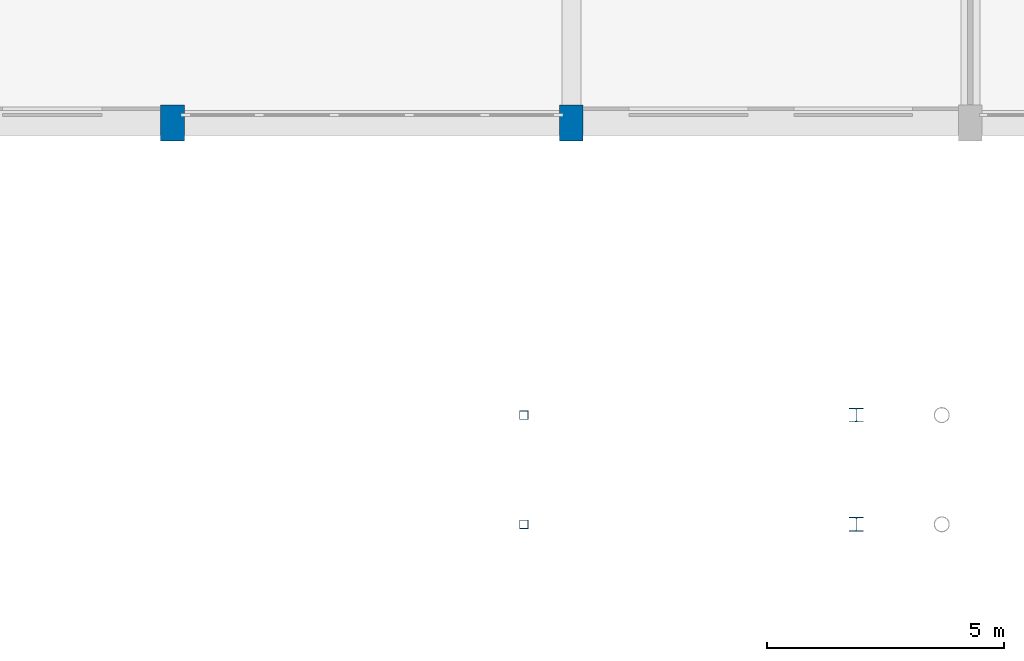
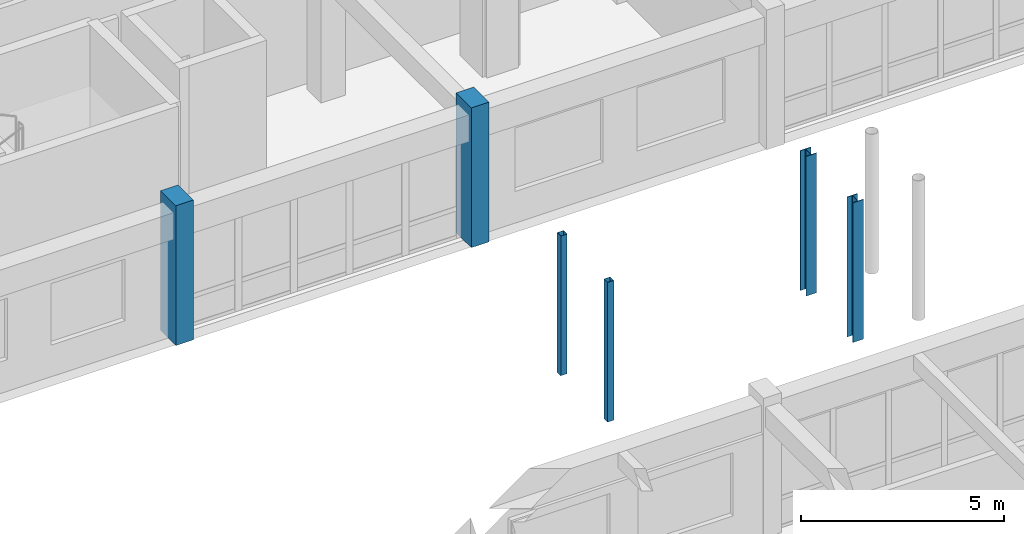
# One storey, part 10 of 147: 6 columns.
"""IFC4 building model written with IfcOpenShell, lengths in metres."""

from ifc_helpers import new_model, si_unit, direction, frame, origin, origin_2d, place, context, subcontext, project, spatial, rectangle, hollow_rectangle, i_section, extrude, material, material_profile, profile_set, type_object, element, save


model = new_model("IFC4")

# Units and contexts
model_context = context("Model", 3, precision=1e-05, world=origin(), true_north=direction((0.0, 1.0)))
body_context = subcontext(model_context, "Body", "Model", "MODEL_VIEW")
ifc_project = project(units=[si_unit("LENGTHUNIT", "METRE"), si_unit("AREAUNIT", "SQUARE_METRE"), si_unit("VOLUMEUNIT", "CUBIC_METRE"), si_unit("PLANEANGLEUNIT", "RADIAN"), si_unit("MASSUNIT", "GRAM", prefix="KILO")], contexts=[model_context])

# Site, building, storey
site_placement = place(None, origin())
site = spatial("IfcSite", under=ifc_project, at=site_placement, CompositionType="ELEMENT")
building_placement = place(site_placement, origin())
building = spatial("IfcBuilding", under=site, at=building_placement, Name="Malvenik Polytechnic", CompositionType="ELEMENT")
storey_placement = place(building_placement, frame((0.0, 0.0, 5.10009765625)))
storey = spatial("IfcBuildingStorey", under=building, at=storey_placement, Name="L01", CompositionType="ELEMENT", Elevation=5.10009765625)

# Columns
ifc_material_1 = material(Name="Concrete C35/45", Category="concrete")
ifc_material_profile_1 = material_profile(ifc_material_1, rectangle(XDim=0.5, YDim=0.75, at=origin_2d()), Name="RC COL 750x500")
ifc_profile_set_1 = profile_set([ifc_material_profile_1], Name="Concrete C35/45")
column_type_1 = type_object("IfcColumnType", Name="STR-COL-C-14", PredefinedType="COLUMN", material=ifc_profile_set_1)
for number, where, z_axis, x_axis, name in (
    (1, (16.800048828125, 79.199951171875, 0.0), (0.0, 0.0, 1.0), (1.0, 0.0, 0.0), "Column C-14 L01 (16.8,79.2)"),
    (2, (25.199951171875, 79.199951171875, 0.0), (0.0, 0.0, 1.0), (1.0, 0.0, 0.0), "Column C-14 L01 (25.2,79.2)"),
):
    element("IfcColumn", number, at=place(storey_placement, frame(where, z_axis=z_axis, x_axis=x_axis)), inside=storey, type_object=column_type_1, Name=name, PredefinedType="COLUMN", context=body_context, shape_type="SweptSolid", body=[
        extrude(rectangle(XDim=0.5, YDim=0.75, at=origin_2d()), origin(), (0.0, 0.0, 1.0), 4.199951171875),
    ])
ifc_material_2 = material(Name="Steel S355", Category="steel")
ifc_material_profile_2 = material_profile(ifc_material_2, i_section(OverallWidth=0.300048828125, OverallDepth=0.300048828125, WebThickness=0.010986328125, FlangeThickness=0.01904296875, FilletRadius=0.027099609375, at=origin_2d()), Name="HEB 300")
ifc_profile_set_2 = profile_set([ifc_material_profile_2], Name="Steel S355")
column_type_2 = type_object("IfcColumnType", Name="STR-SCOL-SC-05", PredefinedType="COLUMN", material=ifc_profile_set_2)
for number, where, z_axis, x_axis, name in (
    (3, (31.199951171875, 70.75, 0.0), (0.0, 0.0, 1.0), (1.0, 0.0, 0.0), "Bridge-Ramp Support Column SC-05 L01"),
    (4, (31.199951171875, 73.050048828125, 0.0), (0.0, 0.0, 1.0), (1.0, 0.0, 0.0), "Bridge-Ramp Support Column SC-05 L01"),
):
    element("IfcColumn", number, at=place(storey_placement, frame(where, z_axis=z_axis, x_axis=x_axis)), inside=storey, type_object=column_type_2, Name=name, PredefinedType="COLUMN", context=body_context, shape_type="SweptSolid", body=[
        extrude(i_section(OverallWidth=0.300048828125, OverallDepth=0.300048828125, WebThickness=0.010986328125, FlangeThickness=0.01904296875, FilletRadius=0.027099609375, at=origin_2d()), origin(), (0.0, 0.0, 1.0), 4.199951171875),
    ])
ifc_material_3 = material(Name="Steel S355J2H", Category="steel")
ifc_material_profile_3 = material_profile(ifc_material_3, hollow_rectangle(XDim=0.179931640625, YDim=0.179931640625, WallThickness=0.008056640625, at=origin_2d()), Name="SHS 180x180x8.0")
ifc_profile_set_3 = profile_set([ifc_material_profile_3], Name="Steel S355J2H")
column_type_3 = type_object("IfcColumnType", Name="STR-SCOL-SC-06", PredefinedType="COLUMN", material=ifc_profile_set_3)
for number, where, z_axis, x_axis, name in (
    (5, (24.199951171875, 70.75, 0.0), (0.0, 0.0, 1.0), (1.0, 0.0, 0.0), "Bridge-Ramp Support Column SC-06 L01"),
    (6, (24.199951171875, 73.050048828125, 0.0), (0.0, 0.0, 1.0), (1.0, 0.0, 0.0), "Bridge-Ramp Support Column SC-06 L01"),
):
    element("IfcColumn", number, at=place(storey_placement, frame(where, z_axis=z_axis, x_axis=x_axis)), inside=storey, type_object=column_type_3, Name=name, PredefinedType="COLUMN", context=body_context, shape_type="SweptSolid", body=[
        extrude(hollow_rectangle(XDim=0.179931640625, YDim=0.179931640625, WallThickness=0.008056640625, at=origin_2d()), origin(), (0.0, 0.0, 1.0), 4.199951171875),
    ])

save(model, "model.ifc")
